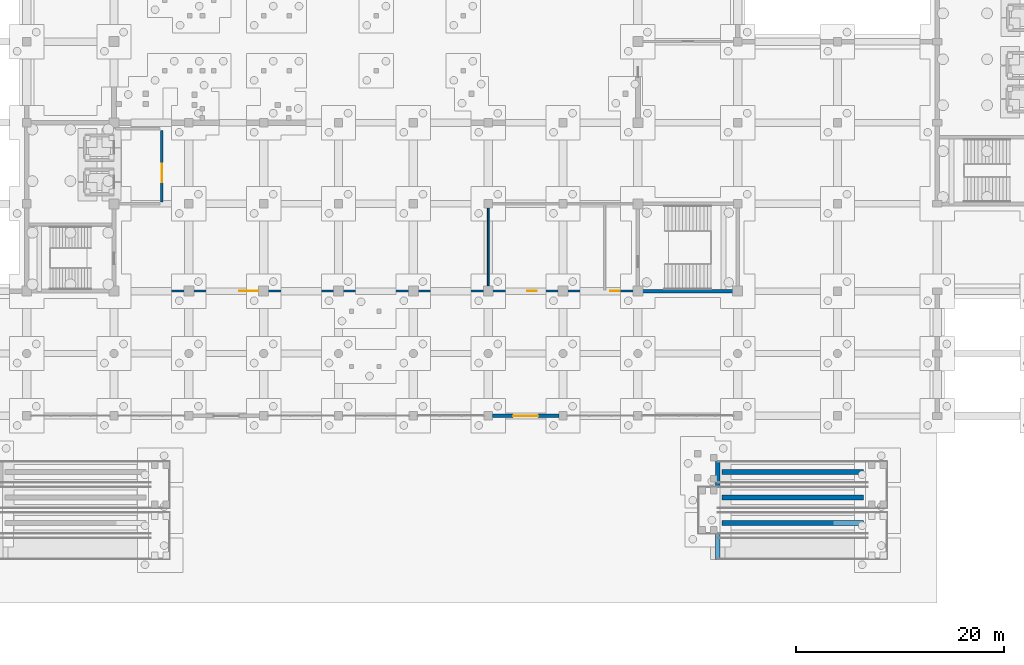
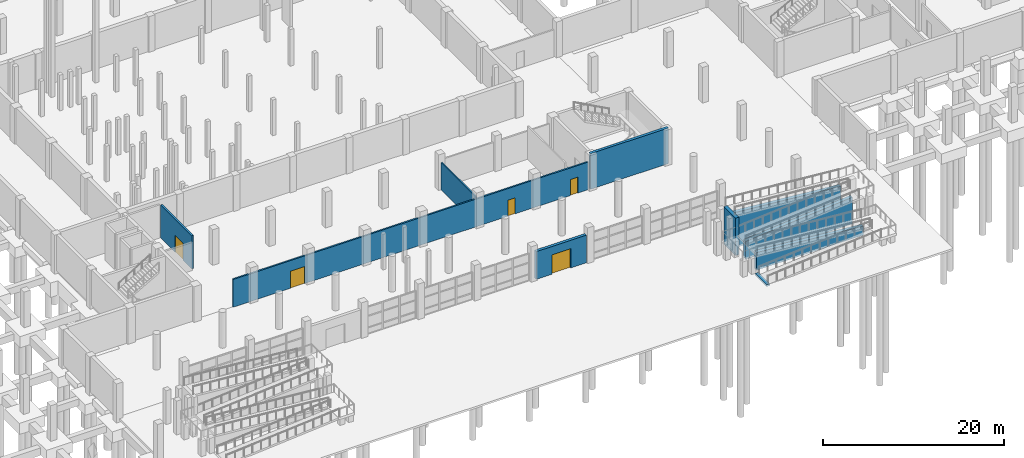
# One storey, part 30 of 42: 10 walls, 5 doors, 5 openings.
"""IFC4 building model written with IfcOpenShell, lengths in metres."""

from ifc_helpers import new_model, si_unit, direction, frame, frame_2d, origin, place, context, subcontext, project, spatial, polyline, rectangle, outline, extrude, material, layer, layer_set, type_object, element, fill, save


model = new_model("IFC4")

# Units and contexts
model_context = context("Model", 3, precision=1e-05, world=origin(), true_north=direction((0.0, 1.0)))
body_context = subcontext(model_context, "Body", "Model", "MODEL_VIEW")
ifc_project = project(units=[si_unit("LENGTHUNIT", "METRE"), si_unit("AREAUNIT", "SQUARE_METRE"), si_unit("VOLUMEUNIT", "CUBIC_METRE"), si_unit("PLANEANGLEUNIT", "RADIAN"), si_unit("MASSUNIT", "GRAM", prefix="KILO")], contexts=[model_context])

# Site, building, storey
site_placement = place(None, origin())
site = spatial("IfcSite", under=ifc_project, at=site_placement, CompositionType="ELEMENT")
building_placement = place(site_placement, origin())
building = spatial("IfcBuilding", under=site, at=building_placement, Name="Pellamere Symphony Hall", CompositionType="ELEMENT")
storey_placement = place(building_placement, frame((0.0, 0.0, -4.800048828125)))
storey = spatial("IfcBuildingStorey", under=building, at=storey_placement, Name="B1", CompositionType="ELEMENT", Elevation=-4.800048828125)

# Wall, opening, door
ifc_material_1 = material(Name="Precast concrete 40 MPa", Category="concrete")
ifc_layer_1 = layer(ifc_material_1, 0.360107421875, Name="Precast concrete 40 MPa")
ifc_layer_set_1 = layer_set([ifc_layer_1], Name="Precast concrete 40 MPa")
wall_type_1 = type_object("IfcWallType", Name="Exterior Wall EW-01 360mm", PredefinedType="SOLIDWALL", material=ifc_layer_set_1)
wall_1_placement = place(storey_placement, frame((95.199951171875, 18.0, 0.0), z_axis=(0.0, 0.0, 1.0), x_axis=(1.0, 0.0, 0.0)))
wall_1 = element("IfcWall", 1, at=wall_1_placement, inside=storey, type_object=wall_type_1, Name="Exterior Wall EW-01-037 (B1)", PredefinedType="SOLIDWALL", context=body_context, shape_type="SweptSolid", body=[
    extrude(rectangle(XDim=6.400146484375, YDim=0.360107421875, at=frame_2d((3.2001953125, 0.0))), origin(), (0.0, 0.0, 1.0), 3.72998046875),
])
opening_1_placement = place(wall_1_placement, frame((2.0, 0.0, 0.0)))
opening_1 = element("IfcOpeningElement", 2, at=opening_1_placement, cuts=wall_1, Name="Opening E02", PredefinedType="OPENING", context=body_context, shape_type="SweptSolid", body=[
    extrude(rectangle(XDim=2.39990234375, YDim=2.60009765625, at=frame_2d((1.199951171875, 1.300048828125))), frame((0.0, 0.18994140625, 0.0), z_axis=(0.0, -1.0, 0.0), x_axis=(1.0, 0.0, 0.0)), (0.0, 0.0, 1.0), 0.380126953125),
])
ifc_material_2 = material(Name="Thermally Broken Bronze-Anodised Aluminium Acoustic Door", Category="aluminium")
door_type_1 = type_object("IfcDoorType", Name="Exterior Door ED-01 2400x2600", OperationType="NOTDEFINED", PredefinedType="DOOR", material=ifc_material_2)
door_1_placement = place(opening_1_placement, frame((2.39990234375, 0.0, 0.0), z_axis=(0.0, 0.0, 1.0), x_axis=(-1.0, 0.0, 0.0)))
door_1 = element("IfcDoor", 3, at=door_1_placement, inside=storey, type_object=door_type_1, Name="Metro Forecourt East Portal", OperationType="DOUBLE_DOOR_SINGLE_SWING", OverallHeight=2.60009765625, OverallWidth=2.39990234375, PredefinedType="DOOR", context=body_context, shape_type="SweptSolid", body=[
    extrude(rectangle(XDim=2.39990234375, YDim=2.60009765625, at=frame_2d((1.199951171875, 1.300048828125))), frame((0.0, 0.02490234375, 0.0), z_axis=(0.0, -1.0, 0.0), x_axis=(1.0, 0.0, 0.0)), (0.0, 0.0, 1.0), 0.050048828125),
])
fill(opening_1, door_1)

ifc_material_3 = material(Name="Double-Stud STC-65 Acoustic Drywall Partition", Category="gypsum")
ifc_layer_2 = layer(ifc_material_3, 0.239990234375, Name="Double-Stud STC-65 Acoustic Drywall Partition")
ifc_layer_set_2 = layer_set([ifc_layer_2], Name="Double-Stud STC-65 Acoustic Drywall Partition")
wall_type_2 = type_object("IfcWallType", Name="Interior Partition IW-01 240mm", PredefinedType="PARTITIONING", material=ifc_layer_set_2)
wall_2_placement = place(storey_placement, frame((63.39990234375, 38.56005859375, 0.0), z_axis=(0.0, 0.0, 1.0), x_axis=(0.0, 1.0, 0.0)))
wall_2 = element("IfcWall", 4, at=wall_2_placement, inside=storey, type_object=wall_type_2, Name="Interior Partition IW-01-003 (B1)", PredefinedType="PARTITIONING", context=body_context, shape_type="SweptSolid", body=[
    extrude(rectangle(XDim=6.8798828125, YDim=0.239990234375, at=frame_2d((3.43994140625, 0.0))), origin(), (0.0, 0.0, 1.0), 4.469970703125),
])
opening_2_placement = place(wall_2_placement, frame((1.89990234375, 0.0, 0.0)))
opening_2 = element("IfcOpeningElement", 5, at=opening_2_placement, cuts=wall_2, Name="Opening FD-01", PredefinedType="OPENING", context=body_context, shape_type="SweptSolid", body=[
    extrude(rectangle(XDim=1.800048828125, YDim=2.300048828125, at=frame_2d((0.89990234375, 1.14990234375))), frame((0.0, 0.1298828125, 0.0), z_axis=(0.0, -1.0, 0.0), x_axis=(1.0, 0.0, 0.0)), (0.0, 0.0, 1.0), 0.260009765625),
])
ifc_material_4 = material(Name="Fire-Rated Cross-Corridor Double Door", Category="wood")
door_type_2 = type_object("IfcDoorType", Name="Interior Door ID-FD1 1800x2300", OperationType="NOTDEFINED", PredefinedType="DOOR", material=ifc_material_4)
door_2_placement = place(opening_2_placement, origin())
door_2 = element("IfcDoor", 6, at=door_2_placement, inside=storey, type_object=door_type_2, Name="Firefighting Lobby C1 Foyer Entry Door (B1)", OperationType="DOUBLE_DOOR_SINGLE_SWING", OverallHeight=2.300048828125, OverallWidth=1.800048828125, PredefinedType="DOOR", context=body_context, shape_type="SweptSolid", body=[
    extrude(rectangle(XDim=1.800048828125, YDim=2.300048828125, at=frame_2d((0.89990234375, 1.14990234375))), frame((0.0, 0.02490234375, 0.0), z_axis=(0.0, -1.0, 0.0), x_axis=(1.0, 0.0, 0.0)), (0.0, 0.0, 1.0), 0.050048828125),
])
fill(opening_2, door_2)

# Wall, openings, doors
ifc_material_5 = material(Name="Fire-Rated STC-58 Corridor Acoustic Partition", Category="gypsum")
ifc_layer_3 = layer(ifc_material_5, 0.199951171875, Name="Fire-Rated STC-58 Corridor Acoustic Partition")
ifc_layer_set_3 = layer_set([ifc_layer_3], Name="Fire-Rated STC-58 Corridor Acoustic Partition")
wall_type_3 = type_object("IfcWallType", Name="Interior Partition IW-02 200mm", PredefinedType="PARTITIONING", material=ifc_layer_set_3)
wall_3_placement = place(storey_placement, frame((63.56005859375, 30.0, 0.0), z_axis=(0.0, 0.0, 1.0), x_axis=(1.0, 0.0, 0.0)))
wall_3 = element("IfcWall", 7, at=wall_3_placement, inside=storey, type_object=wall_type_3, Name="Interior Partition IW-02-041 (B1)", PredefinedType="PARTITIONING", context=body_context, shape_type="SweptSolid", body=[
    extrude(rectangle(XDim=45.280029296875, YDim=0.199951171875, at=frame_2d((22.64013671875, 0.0))), origin(), (0.0, 0.0, 1.0), 3.72998046875),
])
opening_3_placement = place(wall_3_placement, frame((7.300048828125, 0.0, 0.0)))
opening_3 = element("IfcOpeningElement", 8, at=opening_3_placement, cuts=wall_3, Name="Opening ID-FD1-001", PredefinedType="OPENING", context=body_context, shape_type="SweptSolid", body=[
    extrude(rectangle(XDim=1.800048828125, YDim=2.300048828125, at=frame_2d((0.89990234375, 1.14990234375))), frame((0.0, 0.10986328125, 0.0), z_axis=(0.0, -1.0, 0.0), x_axis=(1.0, 0.0, 0.0)), (0.0, 0.0, 1.0), 0.219970703125),
])
opening_4_placement = place(wall_3_placement, frame((35.0, 0.0, 0.0)))
opening_4 = element("IfcOpeningElement", 9, at=opening_4_placement, cuts=wall_3, Name="Opening ID-WC1-002", PredefinedType="OPENING", context=body_context, shape_type="SweptSolid", body=[
    extrude(rectangle(XDim=0.919921875, YDim=2.14990234375, at=frame_2d((0.4599609375, 1.074951171875))), frame((0.0, 0.10986328125, 0.0), z_axis=(0.0, -1.0, 0.0), x_axis=(1.0, 0.0, 0.0)), (0.0, 0.0, 1.0), 0.219970703125),
])
opening_5_placement = place(wall_3_placement, frame((43.0, 0.0, 0.0)))
opening_5 = element("IfcOpeningElement", 10, at=opening_5_placement, cuts=wall_3, Name="Opening ID-WC1-003", PredefinedType="OPENING", context=body_context, shape_type="SweptSolid", body=[
    extrude(rectangle(XDim=0.919921875, YDim=2.14990234375, at=frame_2d((0.4599609375, 1.074951171875))), frame((0.0, 0.10986328125, 0.0), z_axis=(0.0, -1.0, 0.0), x_axis=(1.0, 0.0, 0.0)), (0.0, 0.0, 1.0), 0.219970703125),
])
door_3_placement = place(opening_3_placement, origin())
door_3 = element("IfcDoor", 11, at=door_3_placement, inside=storey, type_object=door_type_2, Name="Lower Cloakroom Entry Door", OperationType="DOUBLE_DOOR_SINGLE_SWING", OverallHeight=2.300048828125, OverallWidth=1.800048828125, PredefinedType="DOOR", context=body_context, shape_type="SweptSolid", body=[
    extrude(rectangle(XDim=1.800048828125, YDim=2.300048828125, at=frame_2d((0.89990234375, 1.14990234375))), frame((0.0, 0.02490234375, 0.0), z_axis=(0.0, -1.0, 0.0), x_axis=(1.0, 0.0, 0.0)), (0.0, 0.0, 1.0), 0.050048828125),
])
fill(opening_3, door_3)
ifc_material_6 = material(Name="Accessible Washroom Privacy Door", Category="wood")
door_type_3 = type_object("IfcDoorType", Name="Interior Door ID-WC1 920x2150", OperationType="NOTDEFINED", PredefinedType="DOOR", material=ifc_material_6)
door_4_placement = place(opening_4_placement, origin())
door_4 = element("IfcDoor", 12, at=door_4_placement, inside=storey, type_object=door_type_3, Name="Lower Public Washroom Door", OperationType="SINGLE_SWING_LEFT", OverallHeight=2.14990234375, OverallWidth=0.919921875, PredefinedType="DOOR", context=body_context, shape_type="SweptSolid", body=[
    extrude(rectangle(XDim=0.919921875, YDim=2.14990234375, at=frame_2d((0.4599609375, 1.074951171875))), frame((0.0, 0.02490234375, 0.0), z_axis=(0.0, -1.0, 0.0), x_axis=(1.0, 0.0, 0.0)), (0.0, 0.0, 1.0), 0.050048828125),
])
fill(opening_4, door_4)
door_5_placement = place(opening_5_placement, origin())
door_5 = element("IfcDoor", 13, at=door_5_placement, inside=storey, type_object=door_type_3, Name="Lower Accessible WC Door", OperationType="SINGLE_SWING_RIGHT", OverallHeight=2.14990234375, OverallWidth=0.919921875, PredefinedType="DOOR", context=body_context, shape_type="SweptSolid", body=[
    extrude(rectangle(XDim=0.919921875, YDim=2.14990234375, at=frame_2d((0.4599609375, 1.074951171875))), frame((0.0, 0.02490234375, 0.0), z_axis=(0.0, -1.0, 0.0), x_axis=(1.0, 0.0, 0.0)), (0.0, 0.0, 1.0), 0.050048828125),
])
fill(opening_5, door_5)

# Walls
ifc_material_7 = material(Name="Moisture-Resistant Ceramic-Tiled Washroom Wall", Category="gypsum")
ifc_layer_4 = layer(ifc_material_7, 0.179931640625, Name="Moisture-Resistant Ceramic-Tiled Washroom Wall")
ifc_layer_set_4 = layer_set([ifc_layer_4], Name="Moisture-Resistant Ceramic-Tiled Washroom Wall")
wall_type_4 = type_object("IfcWallType", Name="Interior Partition IW-06 180mm", PredefinedType="PARTITIONING", material=ifc_layer_set_4)
wall_4_placement = place(storey_placement, frame((94.800048828125, 30.47998046875, 0.0), z_axis=(0.0, 0.0, 1.0), x_axis=(0.0, 1.0, 0.0)))
element("IfcWall", 14, at=wall_4_placement, inside=storey, type_object=wall_type_4, Name="Interior Partition IW-06-042 (B1)", PredefinedType="PARTITIONING", context=body_context, shape_type="SweptSolid", body=[
    extrude(rectangle(XDim=7.510009765625, YDim=0.179931640625, at=frame_2d((3.7548828125, 0.0))), origin(), (0.0, 0.0, 1.0), 3.679931640625),
])
ifc_material_8 = material(Name="Concrete 40 MPa", Category="concrete")
ifc_layer_5 = layer(ifc_material_8, 0.449951171875, Name="Concrete 40 MPa")
ifc_layer_set_5 = layer_set([ifc_layer_5], Name="Concrete 40 MPa")
wall_type_5 = type_object("IfcWallType", Name="Structural Wall SW-01 450mm", PredefinedType="USERDEFINED", material=ifc_layer_set_5)
wall_5_placement = place(storey_placement, frame((116.89990234375, 4.199951171875, -0.25), z_axis=(0.0, 0.0, 1.0), x_axis=(0.0, 1.0, 0.0)))
element("IfcWall", 15, at=wall_5_placement, inside=storey, type_object=wall_type_5, Name="Ramp RMP-02 Lower Sill Wall", ObjectType="RETAINING", PredefinedType="USERDEFINED", context=body_context, shape_type="SweptSolid", body=[
    extrude(rectangle(XDim=2.56005859375, YDim=0.449951171875, at=frame_2d((1.280029296875, 0.0))), origin(), (0.0, 0.0, 1.0), 0.25),
])
wall_6_placement = place(storey_placement, frame((117.300048828125, 7.699951171875, -0.25), z_axis=(0.0, 0.0, 1.0), x_axis=(1.0, 0.0, 0.0)))
element("IfcWall", 16, at=wall_6_placement, inside=storey, type_object=wall_type_5, Name="Ramp RMP-02 Flight 2 Spine Support Wall", ObjectType="RETAINING", PredefinedType="USERDEFINED", context=body_context, shape_type="SweptSolid", body=[
    extrude(outline(polyline([(0.0, 0.0), (13.599853515625, 0.0), (13.60009765625, 1.199951171875), (0.0, 2.400146484375), (0.0, 0.0)])), frame((0.0, 0.22509765625, 0.0), z_axis=(0.0, -1.0, 0.0), x_axis=(1.0, 0.0, 0.0)), (0.0, 0.0, 1.0), 0.449951171875),
])
wall_7_placement = place(storey_placement, frame((117.300048828125, 10.14990234375, -0.25), z_axis=(0.0, 0.0, 1.0), x_axis=(1.0, 0.0, 0.0)))
element("IfcWall", 17, at=wall_7_placement, inside=storey, type_object=wall_type_5, Name="Ramp RMP-02 Flight 3 Spine Support Wall", ObjectType="RETAINING", PredefinedType="USERDEFINED", context=body_context, shape_type="SweptSolid", body=[
    extrude(outline(polyline([(0.0, 0.0), (13.599853515625, 0.0), (13.60009765625, 3.60009765625), (0.0, 2.400146484375), (0.0, 0.0)])), frame((0.0, 0.22509765625, 0.0), z_axis=(0.0, -1.0, 0.0), x_axis=(1.0, 0.0, 0.0)), (0.0, 0.0, 1.0), 0.449951171875),
])
wall_8_placement = place(storey_placement, frame((117.300048828125, 12.60009765625, -0.25), z_axis=(0.0, 0.0, 1.0), x_axis=(1.0, 0.0, 0.0)))
element("IfcWall", 18, at=wall_8_placement, inside=storey, type_object=wall_type_5, Name="Ramp RMP-02 Flight 4 Spine Support Wall", ObjectType="RETAINING", PredefinedType="USERDEFINED", context=body_context, shape_type="SweptSolid", body=[
    extrude(outline(polyline([(0.0, 0.0), (13.599853515625, 0.0), (13.60009765625, 3.60009765625), (0.0, 4.800048828125), (0.0, 0.0)])), frame((0.0, 0.22509765625, 0.0), z_axis=(0.0, -1.0, 0.0), x_axis=(1.0, 0.0, 0.0)), (0.0, 0.0, 1.0), 0.449951171875),
])
wall_9_placement = place(storey_placement, frame((116.89990234375, 11.090087890625, -0.25), z_axis=(0.0, 0.0, 1.0), x_axis=(0.0, 1.0, 0.0)))
element("IfcWall", 19, at=wall_9_placement, inside=storey, type_object=wall_type_5, Name="Ramp RMP-02 Top Abutment Bearing Wall", ObjectType="RETAINING", PredefinedType="USERDEFINED", context=body_context, shape_type="SweptSolid", body=[
    extrude(rectangle(XDim=2.559814453125, YDim=0.449951171875, at=frame_2d((1.27978515625, 0.0))), origin(), (0.0, 0.0, 1.0), 5.050048828125),
])
ifc_layer_6 = layer(ifc_material_8, 0.35009765625, Name="Concrete 40 MPa")
ifc_layer_set_6 = layer_set([ifc_layer_6], Name="Concrete 40 MPa")
wall_type_6 = type_object("IfcWallType", Name="Structural Wall SW-03 350mm", PredefinedType="SHEAR", material=ifc_layer_set_6)
wall_10_placement = place(storey_placement, frame((109.02490234375, 30.0, 0.0), z_axis=(0.0, 0.0, 1.0), x_axis=(1.0, 0.0, 0.0)))
element("IfcWall", 20, at=wall_10_placement, inside=storey, type_object=wall_type_6, Name="Stair ST08 Enclosure Wall S (B1)", PredefinedType="SHEAR", context=body_context, shape_type="SweptSolid", body=[
    extrude(rectangle(XDim=9.9501953125, YDim=0.35009765625, at=frame_2d((4.97509765625, 0.0))), origin(), (0.0, 0.0, 1.0), 4.800048828125),
])

save(model, "model.ifc")
